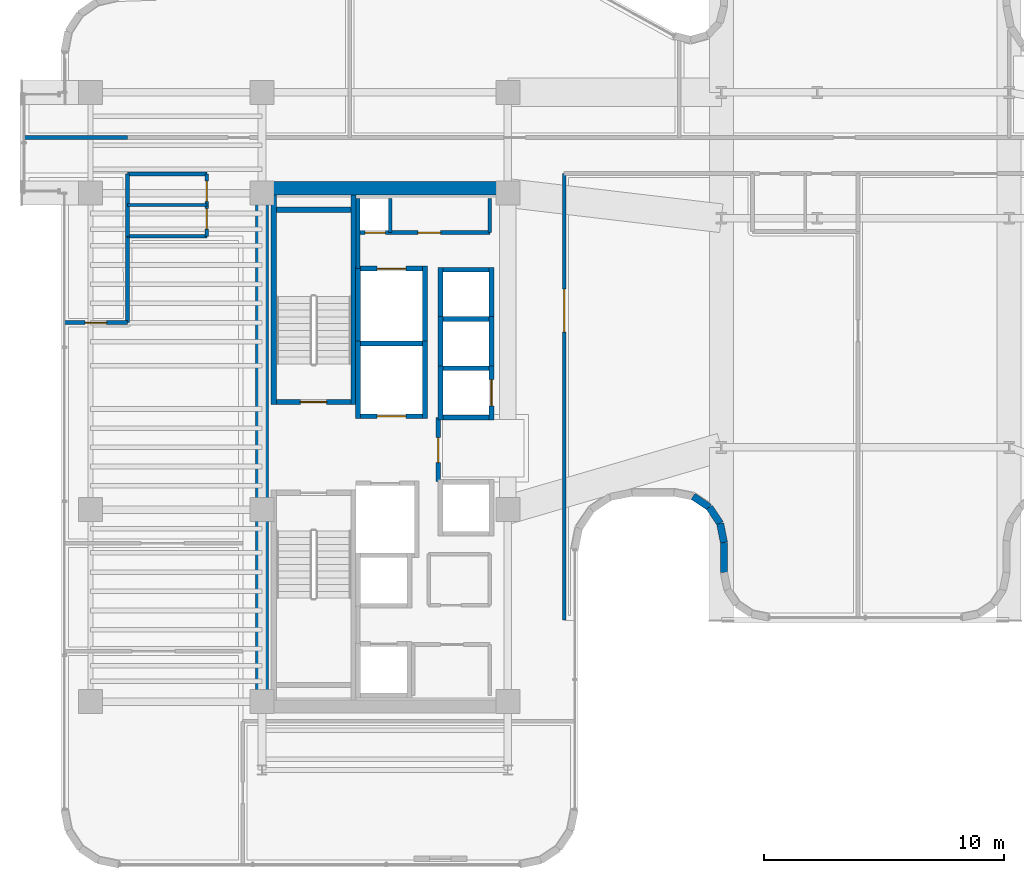
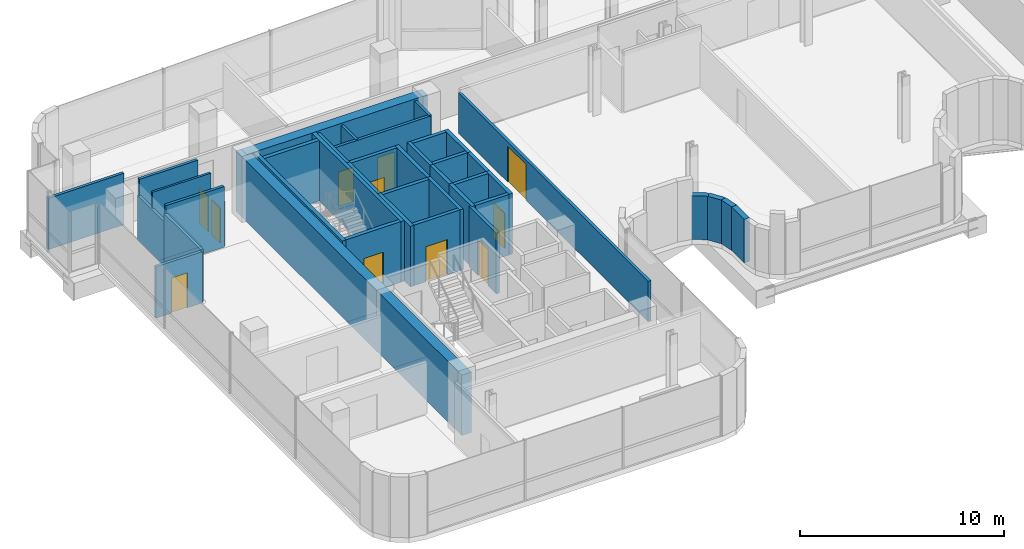
# One storey, part 28 of 37: 41 walls, 11 doors, 11 openings.
"""IFC4 building model written with IfcOpenShell, lengths in metres."""

from ifc_helpers import new_model, si_unit, direction, frame, frame_2d, origin, place, context, subcontext, project, spatial, rectangle, extrude, material, layer, layer_set, type_object, element, fill, save


model = new_model("IFC4")

# Units and contexts
model_context = context("Model", 3, precision=1e-05, world=origin(), true_north=direction((0.0, 1.0)))
body_context = subcontext(model_context, "Body", "Model", "MODEL_VIEW")
ifc_project = project(units=[si_unit("LENGTHUNIT", "METRE"), si_unit("AREAUNIT", "SQUARE_METRE"), si_unit("VOLUMEUNIT", "CUBIC_METRE"), si_unit("PLANEANGLEUNIT", "RADIAN"), si_unit("MASSUNIT", "GRAM", prefix="KILO")], contexts=[model_context])

# Site, building, storey
site_placement = place(None, origin())
site = spatial("IfcSite", under=ifc_project, at=site_placement, CompositionType="ELEMENT")
building_placement = place(site_placement, origin())
building = spatial("IfcBuilding", under=site, at=building_placement, Name="Valdorenza Pilgrim Sanctuary Tower", CompositionType="ELEMENT")
storey_placement = place(building_placement, frame((0.0, 0.0, 188.39990234375)))
storey = spatial("IfcBuildingStorey", under=building, at=storey_placement, Name="L48", CompositionType="ELEMENT", Elevation=188.39990234375)

# Wall
ifc_material_1 = material(Name="Acoustic twin-stud gypsum partition", Category="gypsum")
ifc_layer_1 = layer(ifc_material_1, 0.159912109375, Name="Acoustic twin-stud gypsum partition")
ifc_layer_set_1 = layer_set([ifc_layer_1], Name="Acoustic twin-stud gypsum partition")
wall_type_1 = type_object("IfcWallType", Name="WAL-COR-160", PredefinedType="PARTITIONING", material=ifc_layer_set_1)
wall_1_placement = place(storey_placement, frame((-18.64990234375, 7.449951171875, 0.0), z_axis=(0.0, 0.0, 1.0), x_axis=(0.0, 1.0, 0.0)))
element("IfcWall", 1, at=wall_1_placement, inside=storey, type_object=wall_type_1, Name="L48 Core A North Service West Wall", PredefinedType="PARTITIONING", context=body_context, shape_type="SweptSolid", body=[
    extrude(rectangle(XDim=2.929931640625, YDim=0.159912109375, at=frame_2d((1.46484375, 0.0))), origin(), (0.0, 0.0, 1.0), 3.630126953125),
])

# Wall, openings, doors
wall_2_placement = place(storey_placement, frame((-18.64990234375, 8.949951171875, 0.0), z_axis=(0.0, 0.0, 1.0), x_axis=(1.0, 0.0, 0.0)))
wall_2 = element("IfcWall", 2, at=wall_2_placement, inside=storey, type_object=wall_type_1, Name="L48 Core A North Service South Wall", PredefinedType="PARTITIONING", context=body_context, shape_type="SweptSolid", body=[
    extrude(rectangle(XDim=5.5, YDim=0.159912109375, at=frame_2d((2.75, 0.0))), origin(), (0.0, 0.0, 1.0), 3.630126953125),
])
opening_1_placement = place(wall_2_placement, frame((0.300048828125, 0.0, 0.0)))
opening_1 = element("IfcOpeningElement", 3, at=opening_1_placement, cuts=wall_2, Name="Opening DR-RS1", PredefinedType="OPENING", context=body_context, shape_type="SweptSolid", body=[
    extrude(rectangle(XDim=0.85009765625, YDim=2.050048828125, at=frame_2d((0.425048828125, 1.02490234375))), frame((0.0, 0.0947265625, 0.0), z_axis=(0.0, -1.0, 0.0), x_axis=(1.0, 0.0, 0.0)), (0.0, 0.0, 1.0), 0.189697265625),
])
opening_2_placement = place(wall_2_placement, frame((2.5, 0.0, 0.0)))
opening_2 = element("IfcOpeningElement", 4, at=opening_2_placement, cuts=wall_2, Name="Opening DR-UN1", PredefinedType="OPENING", context=body_context, shape_type="SweptSolid", body=[
    extrude(rectangle(XDim=0.949951171875, YDim=2.14990234375, at=frame_2d((0.47509765625, 1.074951171875))), frame((0.0, 0.0947265625, 0.0), z_axis=(0.0, -1.0, 0.0), x_axis=(1.0, 0.0, 0.0)), (0.0, 0.0, 1.0), 0.189697265625),
])
ifc_material_2 = material(Name="Painted galvanized steel", Category="steel")
door_type_1 = type_object("IfcDoorType", Name="DR-RSR-850", OperationType="NOTDEFINED", PredefinedType="DOOR", material=ifc_material_2)
door_1_placement = place(opening_1_placement, origin())
door_1 = element("IfcDoor", 5, at=door_1_placement, inside=storey, type_object=door_type_1, Name="L48 Core Electrical and Telecom Riser Door", OperationType="SINGLE_SWING_LEFT", OverallHeight=2.050048828125, OverallWidth=0.85009765625, PredefinedType="DOOR", context=body_context, shape_type="SweptSolid", body=[
    extrude(rectangle(XDim=0.85009765625, YDim=2.050048828125, at=frame_2d((0.425048828125, 1.02490234375))), frame((0.0, 0.02490234375, 0.0), z_axis=(0.0, -1.0, 0.0), x_axis=(1.0, 0.0, 0.0)), (0.0, 0.0, 1.0), 0.050048828125),
])
fill(opening_1, door_1)
ifc_material_3 = material(Name="Solid-core European oak timber", Category="wood")
door_type_2 = type_object("IfcDoorType", Name="DR-UNIT-950", OperationType="NOTDEFINED", PredefinedType="DOOR", material=ifc_material_3)
door_2_placement = place(opening_2_placement, origin())
door_2 = element("IfcDoor", 6, at=door_2_placement, inside=storey, type_object=door_type_2, Name="L48 Housekeeping and Clean Linen Room Door", OperationType="SINGLE_SWING_RIGHT", OverallHeight=2.14990234375, OverallWidth=0.949951171875, PredefinedType="DOOR", context=body_context, shape_type="SweptSolid", body=[
    extrude(rectangle(XDim=0.949951171875, YDim=2.14990234375, at=frame_2d((0.47509765625, 1.074951171875))), frame((0.0, 0.02490234375, 0.0), z_axis=(0.0, -1.0, 0.0), x_axis=(1.0, 0.0, 0.0)), (0.0, 0.0, 1.0), 0.050048828125),
])
fill(opening_2, door_2)

# Walls
for number, where, z_axis, x_axis, name in (
    (7, (-13.14990234375, 8.949951171875, 0.0), (0.0, 0.0, 1.0), (0.0, 1.0, 0.0), "L48 Core A North Service East Wall"),
    (8, (-17.300048828125, 8.949951171875, 0.0), (0.0, 0.0, 1.0), (0.0, 1.0, 0.0), "L48 Core Electrical Riser Wall"),
):
    element("IfcWall", number, at=place(storey_placement, frame(where, z_axis=z_axis, x_axis=x_axis)), inside=storey, type_object=wall_type_1, Name=name, PredefinedType="PARTITIONING", context=body_context, shape_type="SweptSolid", body=[
        extrude(rectangle(XDim=1.429931640625, YDim=0.159912109375, at=frame_2d((0.71484375, 0.0))), origin(), (0.0, 0.0, 1.0), 3.630126953125),
    ])
wall_3_placement = place(storey_placement, frame((-28.25, 8.800048828125, 0.0), z_axis=(0.0, 0.0, 1.0), x_axis=(0.0, 1.0, 0.0)))
element("IfcWall", 9, at=wall_3_placement, inside=storey, type_object=wall_type_1, Name="L48 Washroom West Wall", PredefinedType="PARTITIONING", context=body_context, shape_type="SweptSolid", body=[
    extrude(rectangle(XDim=2.599853515625, YDim=0.159912109375, at=frame_2d((1.2998046875, 0.0))), origin(), (0.0, 0.0, 1.0), 2.6650390625),
])

# Wall, openings, doors
wall_4_placement = place(storey_placement, frame((-24.949951171875, 8.800048828125, 0.0), z_axis=(0.0, 0.0, 1.0), x_axis=(0.0, 1.0, 0.0)))
wall_4 = element("IfcWall", 10, at=wall_4_placement, inside=storey, type_object=wall_type_1, Name="L48 Washroom East Wall", PredefinedType="PARTITIONING", context=body_context, shape_type="SweptSolid", body=[
    extrude(rectangle(XDim=2.599853515625, YDim=0.159912109375, at=frame_2d((1.2998046875, 0.0))), origin(), (0.0, 0.0, 1.0), 2.6650390625),
])
opening_3_placement = place(wall_4_placement, frame((0.300048828125, 0.0, 0.0)))
opening_3 = element("IfcOpeningElement", 11, at=opening_3_placement, cuts=wall_4, Name="Opening DR-WC1", PredefinedType="OPENING", context=body_context, shape_type="SweptSolid", body=[
    extrude(rectangle(XDim=0.85009765625, YDim=2.10009765625, at=frame_2d((0.425048828125, 1.050048828125))), frame((0.0, 0.0947265625, 0.0), z_axis=(0.0, -1.0, 0.0), x_axis=(1.0, 0.0, 0.0)), (0.0, 0.0, 1.0), 0.189697265625),
])
opening_4_placement = place(wall_4_placement, frame((1.449951171875, 0.0, 0.0)))
opening_4 = element("IfcOpeningElement", 12, at=opening_4_placement, cuts=wall_4, Name="Opening DR-WC1", PredefinedType="OPENING", context=body_context, shape_type="SweptSolid", body=[
    extrude(rectangle(XDim=0.85009765625, YDim=2.10009765625, at=frame_2d((0.425048828125, 1.050048828125))), frame((0.0, 0.0947265625, 0.0), z_axis=(0.0, -1.0, 0.0), x_axis=(1.0, 0.0, 0.0)), (0.0, 0.0, 1.0), 0.189697265625),
])
ifc_material_4 = material(Name="Moisture-resistant lacquered timber", Category="wood")
door_type_3 = type_object("IfcDoorType", Name="DR-BATH-850", OperationType="NOTDEFINED", PredefinedType="DOOR", material=ifc_material_4)
door_3_placement = place(opening_3_placement, origin())
door_3 = element("IfcDoor", 13, at=door_3_placement, inside=storey, type_object=door_type_3, Name="L48 Accessible Washroom Door", OperationType="SINGLE_SWING_RIGHT", OverallHeight=2.10009765625, OverallWidth=0.85009765625, PredefinedType="DOOR", context=body_context, shape_type="SweptSolid", body=[
    extrude(rectangle(XDim=0.85009765625, YDim=2.10009765625, at=frame_2d((0.425048828125, 1.050048828125))), frame((0.0, 0.02490234375, 0.0), z_axis=(0.0, -1.0, 0.0), x_axis=(1.0, 0.0, 0.0)), (0.0, 0.0, 1.0), 0.050048828125),
])
fill(opening_3, door_3)
door_4_placement = place(opening_4_placement, origin())
door_4 = element("IfcDoor", 14, at=door_4_placement, inside=storey, type_object=door_type_3, Name="L48 Public Washroom Door", OperationType="SINGLE_SWING_LEFT", OverallHeight=2.10009765625, OverallWidth=0.85009765625, PredefinedType="DOOR", context=body_context, shape_type="SweptSolid", body=[
    extrude(rectangle(XDim=0.85009765625, YDim=2.10009765625, at=frame_2d((0.425048828125, 1.050048828125))), frame((0.0, 0.02490234375, 0.0), z_axis=(0.0, -1.0, 0.0), x_axis=(1.0, 0.0, 0.0)), (0.0, 0.0, 1.0), 0.050048828125),
])
fill(opening_4, door_4)

# Walls
for number, where, z_axis, x_axis, name in (
    (15, (-28.25, 8.800048828125, 0.0), (0.0, 0.0, 1.0), (1.0, 0.0, 0.0), "L48 Washroom South Wall"),
    (16, (-28.25, 11.39990234375, 0.0), (0.0, 0.0, 1.0), (1.0, 0.0, 0.0), "L48 Washroom North Wall"),
):
    element("IfcWall", number, at=place(storey_placement, frame(where, z_axis=z_axis, x_axis=x_axis)), inside=storey, type_object=wall_type_1, Name=name, PredefinedType="PARTITIONING", context=body_context, shape_type="SweptSolid", body=[
        extrude(rectangle(XDim=3.300048828125, YDim=0.159912109375, at=frame_2d((1.64990234375, 0.0))), origin(), (0.0, 0.0, 1.0), 3.630126953125),
    ])

# Wall, opening, door
wall_5_placement = place(storey_placement, frame((-30.889892578125, 5.199951171875, 0.0), z_axis=(0.0, 0.0, 1.0), x_axis=(1.0, 0.0, 0.0)))
wall_5 = element("IfcWall", 17, at=wall_5_placement, inside=storey, type_object=wall_type_1, Name="L48 Cloister North Room Wall", PredefinedType="PARTITIONING", context=body_context, shape_type="SweptSolid", body=[
    extrude(rectangle(XDim=2.639892578125, YDim=0.159912109375, at=frame_2d((1.31982421875, 0.0))), origin(), (0.0, 0.0, 1.0), 3.076171875),
])
opening_5_placement = place(wall_5_placement, frame((0.8701171875, 0.0, 0.0)))
opening_5 = element("IfcOpeningElement", 18, at=opening_5_placement, cuts=wall_5, Name="Opening DR-RM1", PredefinedType="OPENING", context=body_context, shape_type="SweptSolid", body=[
    extrude(rectangle(XDim=0.89990234375, YDim=2.10009765625, at=frame_2d((0.449951171875, 1.050048828125))), frame((0.0, 0.0947265625, 0.0), z_axis=(0.0, -1.0, 0.0), x_axis=(1.0, 0.0, 0.0)), (0.0, 0.0, 1.0), 0.189697265625),
])
door_type_4 = type_object("IfcDoorType", Name="DR-ROOM-900", OperationType="NOTDEFINED", PredefinedType="DOOR", material=ifc_material_3)
door_5_placement = place(opening_5_placement, frame((0.89990234375, 0.0, 0.0), z_axis=(0.0, 0.0, 1.0), x_axis=(-1.0, 0.0, 0.0)))
door_5 = element("IfcDoor", 19, at=door_5_placement, inside=storey, type_object=door_type_4, Name="L48 North Contemplation Lounge L48 Door", OperationType="SINGLE_SWING_LEFT", OverallHeight=2.10009765625, OverallWidth=0.89990234375, PredefinedType="DOOR", context=body_context, shape_type="SweptSolid", body=[
    extrude(rectangle(XDim=0.89990234375, YDim=2.10009765625, at=frame_2d((0.449951171875, 1.050048828125))), frame((0.0, 0.02490234375, 0.0), z_axis=(0.0, -1.0, 0.0), x_axis=(1.0, 0.0, 0.0)), (0.0, 0.0, 1.0), 0.050048828125),
])
fill(opening_5, door_5)

# Walls
wall_6_placement = place(storey_placement, frame((-28.25, 5.199951171875, 0.0), z_axis=(0.0, 0.0, 1.0), x_axis=(0.0, 1.0, 0.0)))
element("IfcWall", 20, at=wall_6_placement, inside=storey, type_object=wall_type_1, Name="L48 Cloister NE Closure", PredefinedType="PARTITIONING", context=body_context, shape_type="SweptSolid", body=[
    extrude(rectangle(XDim=3.60009765625, YDim=0.159912109375, at=frame_2d((1.800048828125, 0.0))), origin(), (0.0, 0.0, 1.0), 3.158203125),
])
wall_7_placement = place(storey_placement, frame((-32.5400390625, 12.919921875, 0.0), z_axis=(0.0, 0.0, 1.0), x_axis=(1.0, 0.0, 0.0)))
element("IfcWall", 21, at=wall_7_placement, inside=storey, type_object=wall_type_1, Name="L48 Cloister North Solid Partition", PredefinedType="PARTITIONING", context=body_context, shape_type="SweptSolid", body=[
    extrude(rectangle(XDim=4.2900390625, YDim=0.159912109375, at=frame_2d((2.14501953125, 0.0))), origin(), (0.0, 0.0, 1.0), 3.076171875),
])

# Wall, opening, door
wall_8_placement = place(storey_placement, frame((-10.050048828125, -7.199951171875, 0.0), z_axis=(0.0, 0.0, 1.0), x_axis=(0.0, 1.0, 0.0)))
wall_8 = element("IfcWall", 22, at=wall_8_placement, inside=storey, type_object=wall_type_1, Name="L48 Prayer Bar West Wall", PredefinedType="PARTITIONING", context=body_context, shape_type="SweptSolid", body=[
    extrude(rectangle(XDim=18.619873046875, YDim=0.159912109375, at=frame_2d((9.31005859375, 0.0))), origin(), (0.0, 0.0, 1.0), 2.4150390625),
])
opening_6_placement = place(wall_8_placement, frame((12.0, 0.0, 0.0)))
opening_6 = element("IfcOpeningElement", 23, at=opening_6_placement, cuts=wall_8, Name="Opening DR-HL1", PredefinedType="OPENING", context=body_context, shape_type="SweptSolid", body=[
    extrude(rectangle(XDim=1.800048828125, YDim=2.14990234375, at=frame_2d((0.89990234375, 1.074951171875))), frame((0.0, 0.0947265625, 0.0), z_axis=(0.0, -1.0, 0.0), x_axis=(1.0, 0.0, 0.0)), (0.0, 0.0, 1.0), 0.189697265625),
])
ifc_material_5 = material(Name="Acoustic oak and vision-glass double door", Category="glass")
door_type_5 = type_object("IfcDoorType", Name="DR-HALL-1800", OperationType="NOTDEFINED", PredefinedType="DOOR", material=ifc_material_5)
door_6_placement = place(opening_6_placement, frame((1.800048828125, 0.0, 0.0), z_axis=(0.0, 0.0, 1.0), x_axis=(-1.0, 0.0, 0.0)))
door_6 = element("IfcDoor", 24, at=door_6_placement, inside=storey, type_object=door_type_5, Name="L48 Congregational Prayer Hall West Door", OperationType="DOUBLE_DOOR_SINGLE_SWING", OverallHeight=2.14990234375, OverallWidth=1.800048828125, PredefinedType="DOOR", context=body_context, shape_type="SweptSolid", body=[
    extrude(rectangle(XDim=1.800048828125, YDim=2.14990234375, at=frame_2d((0.89990234375, 1.074951171875))), frame((0.0, 0.02490234375, 0.0), z_axis=(0.0, -1.0, 0.0), x_axis=(1.0, 0.0, 0.0)), (0.0, 0.0, 1.0), 0.050048828125),
])
fill(opening_6, door_6)

# Walls
ifc_material_6 = material(Name="Concrete C50/60", Category="concrete")
ifc_layer_2 = layer(ifc_material_6, 0.550048828125, Name="Concrete C50/60")
ifc_layer_set_2 = layer_set([ifc_layer_2], Name="Concrete C50/60")
wall_type_2 = type_object("IfcWallType", Name="WAL-COR-550", PredefinedType="SHEAR", material=ifc_layer_set_2)
wall_9_placement = place(storey_placement, frame((-22.64990234375, -11.074951171875, 0.0), z_axis=(0.0, 0.0, 1.0), x_axis=(0.0, 1.0, 0.0)))
element("IfcWall", 25, at=wall_9_placement, inside=storey, type_object=wall_type_2, Name="L48 Split Core A Shear Wall W", PredefinedType="SHEAR", context=body_context, shape_type="SweptSolid", body=[
    extrude(rectangle(XDim=22.14990234375, YDim=0.550048828125, at=frame_2d((11.074951171875, 0.0))), origin(), (0.0, 0.0, 1.0), 3.630126953125),
])
wall_10_placement = place(storey_placement, frame((-22.64990234375, 10.800048828125, 0.0), z_axis=(0.0, 0.0, 1.0), x_axis=(1.0, 0.0, 0.0)))
element("IfcWall", 26, at=wall_10_placement, inside=storey, type_object=wall_type_2, Name="L48 Split Core A Shear Wall N", PredefinedType="SHEAR", context=body_context, shape_type="SweptSolid", body=[
    extrude(rectangle(XDim=10.25, YDim=0.550048828125, at=frame_2d((5.125, 0.0))), origin(), (0.0, 0.0, 1.0), 3.630126953125),
])
ifc_material_7 = material(Name="Honed travertine limestone", Category="masonry")
ifc_layer_3 = layer(ifc_material_7, 0.300048828125, Name="Honed travertine limestone")
ifc_layer_set_3 = layer_set([ifc_layer_3], Name="Honed travertine limestone")
wall_type_3 = type_object("IfcWallType", Name="WAL-EXT-300", PredefinedType="SOLIDWALL", material=ifc_layer_set_3)
wall_11_placement = place(storey_placement, frame((-3.389892578125, -5.213134765625, 0.0), z_axis=(0.0, 0.0, 1.0), x_axis=(0.0, 1.0, 0.0)))
element("IfcWall", 27, at=wall_11_placement, inside=storey, type_object=wall_type_3, Name="L48 Rounded Wind-Corner Stone Pier 67", PredefinedType="SOLIDWALL", context=body_context, shape_type="SweptSolid", body=[
    extrude(rectangle(XDim=1.248046875, YDim=0.300048828125, at=frame_2d((0.6240234375, 0.0))), origin(), (0.0, 0.0, 1.0), 2.614990234375),
])
wall_12_placement = place(storey_placement, frame((-3.389892578125, -3.965087890625, 0.0), z_axis=(0.0, 0.0, 1.0), x_axis=(-0.195356525272, 0.980732291726, 0.0)))
element("IfcWall", 28, at=wall_12_placement, inside=storey, type_object=wall_type_3, Name="L48 Rounded Wind-Corner Stone Pier 68", PredefinedType="SOLIDWALL", context=body_context, shape_type="SweptSolid", body=[
    extrude(rectangle(XDim=0.803466796875, YDim=0.300048828125, at=frame_2d((0.40185546875, 0.0))), origin(), (0.0, 0.0, 1.0), 2.614990234375),
])
for number, where, z_axis, x_axis, name in (
    (29, (-3.546875, -3.177001953125, 0.0), (0.0, 0.0, 1.0), (-0.555529688413, 0.831496701913, 0.0), "L48 Rounded Wind-Corner Stone Pier 69"),
    (30, (-3.99951171875, -2.49951171875, 0.0), (0.0, 0.0, 1.0), (-0.831496701913, 0.555529688413, 0.0), "L48 Rounded Wind-Corner Stone Pier 70"),
):
    element("IfcWall", number, at=place(storey_placement, frame(where, z_axis=z_axis, x_axis=x_axis)), inside=storey, type_object=wall_type_3, Name=name, PredefinedType="SOLIDWALL", context=body_context, shape_type="SweptSolid", body=[
        extrude(rectangle(XDim=0.814697265625, YDim=0.300048828125, at=frame_2d((0.4072265625, 0.0))), origin(), (0.0, 0.0, 1.0), 2.614990234375),
    ])

# Wall, opening, door
ifc_material_8 = material(Name="Gypsum shaftwall partition", Category="gypsum")
ifc_layer_4 = layer(ifc_material_8, 0.199951171875, Name="Gypsum shaftwall partition")
ifc_layer_set_4 = layer_set([ifc_layer_4], Name="Gypsum shaftwall partition")
wall_type_4 = type_object("IfcWallType", Name="WAL-FFL-200", PredefinedType="PARTITIONING", material=ifc_layer_set_4)
wall_13_placement = place(storey_placement, frame((-15.300048828125, -1.419921875, 0.0), z_axis=(0.0, 0.0, 1.0), x_axis=(0.0, 1.0, 0.0)))
wall_13 = element("IfcWall", 31, at=wall_13_placement, inside=storey, type_object=wall_type_4, Name="L48 Core A Firefighting Lobby East Wall", PredefinedType="PARTITIONING", context=body_context, shape_type="SweptSolid", body=[
    extrude(rectangle(XDim=2.669921875, YDim=0.199951171875, at=frame_2d((1.3349609375, 0.0))), origin(), (0.0, 0.0, 1.0), 3.630126953125),
])
opening_7_placement = place(wall_13_placement, frame((0.780029296875, 0.0, 0.0)))
opening_7 = element("IfcOpeningElement", 32, at=opening_7_placement, cuts=wall_13, Name="Opening DR-FL1", PredefinedType="OPENING", context=body_context, shape_type="SweptSolid", body=[
    extrude(rectangle(XDim=1.050048828125, YDim=2.14990234375, at=frame_2d((0.52490234375, 1.074951171875))), frame((0.0, 0.11474609375, 0.0), z_axis=(0.0, -1.0, 0.0), x_axis=(1.0, 0.0, 0.0)), (0.0, 0.0, 1.0), 0.229736328125),
])
door_type_6 = type_object("IfcDoorType", Name="DR-FFL-1050", OperationType="NOTDEFINED", PredefinedType="DOOR", material=ifc_material_2)
door_7_placement = place(opening_7_placement, origin())
door_7 = element("IfcDoor", 33, at=door_7_placement, inside=storey, type_object=door_type_6, Name="L48 Core A Firefighting Lobby Door", OperationType="SINGLE_SWING_RIGHT", OverallHeight=2.14990234375, OverallWidth=1.050048828125, PredefinedType="DOOR", context=body_context, shape_type="SweptSolid", body=[
    extrude(rectangle(XDim=1.050048828125, YDim=2.14990234375, at=frame_2d((0.52490234375, 1.074951171875))), frame((0.0, 0.02490234375, 0.0), z_axis=(0.0, -1.0, 0.0), x_axis=(1.0, 0.0, 0.0)), (0.0, 0.0, 1.0), 0.050048828125),
])
fill(opening_7, door_7)

# Walls
ifc_material_9 = material(Name="Moisture-resistant gypsum partition", Category="gypsum")
ifc_layer_5 = layer(ifc_material_9, 0.1201171875, Name="Moisture-resistant gypsum partition")
ifc_layer_set_5 = layer_set([ifc_layer_5], Name="Moisture-resistant gypsum partition")
wall_type_5 = type_object("IfcWallType", Name="WAL-INT-120", PredefinedType="PARTITIONING", material=ifc_layer_set_5)
wall_14_placement = place(storey_placement, frame((-28.25, 10.10009765625, 0.0), z_axis=(0.0, 0.0, 1.0), x_axis=(1.0, 0.0, 0.0)))
element("IfcWall", 34, at=wall_14_placement, inside=storey, type_object=wall_type_5, Name="L48 Washroom Divider Wall", PredefinedType="PARTITIONING", context=body_context, shape_type="SweptSolid", body=[
    extrude(rectangle(XDim=3.300048828125, YDim=0.1201171875, at=frame_2d((1.64990234375, 0.0))), origin(), (0.0, 0.0, 1.0), 3.630126953125),
])
ifc_material_10 = material(Name="Autoclaved aerated concrete blockwork", Category="masonry")
ifc_layer_6 = layer(ifc_material_10, 0.199951171875, Name="Autoclaved aerated concrete blockwork")
ifc_layer_set_6 = layer_set([ifc_layer_6], Name="Autoclaved aerated concrete blockwork")
wall_type_6 = type_object("IfcWallType", Name="WAL-SHF-200", PredefinedType="MOVABLE", material=ifc_layer_set_6)
for number, where, z_axis, x_axis, name in (
    (35, (-18.64990234375, 1.199951171875, 0.0), (0.0, 0.0, 1.0), (0.0, 1.0, 0.0), "L48 Lift FFL-01 Hoistway Wall West"),
    (36, (-15.85009765625, 1.199951171875, 0.0), (0.0, 0.0, 1.0), (0.0, 1.0, 0.0), "L48 Lift FFL-01 Hoistway Wall East"),
):
    element("IfcWall", number, at=place(storey_placement, frame(where, z_axis=z_axis, x_axis=x_axis)), inside=storey, type_object=wall_type_6, Name=name, PredefinedType="MOVABLE", context=body_context, shape_type="SweptSolid", body=[
        extrude(rectangle(XDim=3.22509765625, YDim=0.199951171875, at=frame_2d((1.612548828125, 0.0))), origin(), (0.0, 0.0, 1.0), 3.630126953125),
    ])

# Wall, opening, door
wall_15_placement = place(storey_placement, frame((-18.550048828125, 1.300048828125, 0.0), z_axis=(0.0, 0.0, 1.0), x_axis=(1.0, 0.0, 0.0)))
wall_15 = element("IfcWall", 37, at=wall_15_placement, inside=storey, type_object=wall_type_6, Name="L48 Lift FFL-01 Hoistway Wall South", PredefinedType="MOVABLE", context=body_context, shape_type="SweptSolid", body=[
    extrude(rectangle(XDim=2.60009765625, YDim=0.199951171875, at=frame_2d((1.300048828125, 0.0))), origin(), (0.0, 0.0, 1.0), 3.630126953125),
])
opening_8_placement = place(wall_15_placement, frame((0.699951171875, 0.0, 0.0)))
opening_8 = element("IfcOpeningElement", 38, at=opening_8_placement, cuts=wall_15, Name="Opening LD-02", PredefinedType="OPENING", context=body_context, shape_type="SweptSolid", body=[
    extrude(rectangle(XDim=1.199951171875, YDim=2.10009765625, at=frame_2d((0.60009765625, 1.050048828125))), frame((0.0, 0.11474609375, 0.0), z_axis=(0.0, -1.0, 0.0), x_axis=(1.0, 0.0, 0.0)), (0.0, 0.0, 1.0), 0.229736328125),
])
ifc_material_11 = material(Name="Brushed stainless steel Grade 316", Category="steel")
door_type_7 = type_object("IfcDoorType", Name="DR-LFT-1200", OperationType="DOUBLE_DOOR_SLIDING", PredefinedType="DOOR", material=ifc_material_11)
door_8_placement = place(opening_8_placement, origin())
door_8 = element("IfcDoor", 39, at=door_8_placement, inside=storey, type_object=door_type_7, Name="L48 Lift FFL-01 Sliding Landing Door", OperationType="DOUBLE_DOOR_SLIDING", OverallHeight=2.10009765625, OverallWidth=1.199951171875, PredefinedType="DOOR", context=body_context, shape_type="SweptSolid", body=[
    extrude(rectangle(XDim=1.199951171875, YDim=2.10009765625, at=frame_2d((0.60009765625, 1.050048828125))), frame((0.0, 0.02490234375, 0.0), z_axis=(0.0, -1.0, 0.0), x_axis=(1.0, 0.0, 0.0)), (0.0, 0.0, 1.0), 0.050048828125),
])
fill(opening_8, door_8)

# Walls
wall_16_placement = place(storey_placement, frame((-18.550048828125, 4.324951171875, 0.0), z_axis=(0.0, 0.0, 1.0), x_axis=(1.0, 0.0, 0.0)))
element("IfcWall", 40, at=wall_16_placement, inside=storey, type_object=wall_type_6, Name="L48 Lift FFL-01 Hoistway Wall North", PredefinedType="MOVABLE", context=body_context, shape_type="SweptSolid", body=[
    extrude(rectangle(XDim=2.60009765625, YDim=0.199951171875, at=frame_2d((1.300048828125, 0.0))), origin(), (0.0, 0.0, 1.0), 3.630126953125),
])
for number, where, z_axis, x_axis, name in (
    (41, (-18.64990234375, 4.22509765625, 0.0), (0.0, 0.0, 1.0), (0.0, 1.0, 0.0), "L48 Lift SVL-01 Hoistway Wall West"),
    (42, (-15.85009765625, 4.22509765625, 0.0), (0.0, 0.0, 1.0), (0.0, 1.0, 0.0), "L48 Lift SVL-01 Hoistway Wall East"),
):
    element("IfcWall", number, at=place(storey_placement, frame(where, z_axis=z_axis, x_axis=x_axis)), inside=storey, type_object=wall_type_6, Name=name, PredefinedType="MOVABLE", context=body_context, shape_type="SweptSolid", body=[
        extrude(rectangle(XDim=3.324951171875, YDim=0.199951171875, at=frame_2d((1.66259765625, 0.0))), origin(), (0.0, 0.0, 1.0), 3.630126953125),
    ])

# Wall, opening, door
wall_17_placement = place(storey_placement, frame((-18.550048828125, 7.449951171875, 0.0), z_axis=(0.0, 0.0, 1.0), x_axis=(1.0, 0.0, 0.0)))
wall_17 = element("IfcWall", 43, at=wall_17_placement, inside=storey, type_object=wall_type_6, Name="L48 Lift SVL-01 Hoistway Wall North", PredefinedType="MOVABLE", context=body_context, shape_type="SweptSolid", body=[
    extrude(rectangle(XDim=2.60009765625, YDim=0.199951171875, at=frame_2d((1.300048828125, 0.0))), origin(), (0.0, 0.0, 1.0), 3.630126953125),
])
opening_9_placement = place(wall_17_placement, frame((0.699951171875, 0.0, 0.0)))
opening_9 = element("IfcOpeningElement", 44, at=opening_9_placement, cuts=wall_17, Name="Opening LD-02", PredefinedType="OPENING", context=body_context, shape_type="SweptSolid", body=[
    extrude(rectangle(XDim=1.199951171875, YDim=2.10009765625, at=frame_2d((0.60009765625, 1.050048828125))), frame((0.0, 0.11474609375, 0.0), z_axis=(0.0, -1.0, 0.0), x_axis=(1.0, 0.0, 0.0)), (0.0, 0.0, 1.0), 0.229736328125),
])
door_9_placement = place(opening_9_placement, origin())
door_9 = element("IfcDoor", 45, at=door_9_placement, inside=storey, type_object=door_type_7, Name="L48 Lift SVL-01 Sliding Landing Door", OperationType="DOUBLE_DOOR_SLIDING", OverallHeight=2.10009765625, OverallWidth=1.199951171875, PredefinedType="DOOR", context=body_context, shape_type="SweptSolid", body=[
    extrude(rectangle(XDim=1.199951171875, YDim=2.10009765625, at=frame_2d((0.60009765625, 1.050048828125))), frame((0.0, 0.02490234375, 0.0), z_axis=(0.0, -1.0, 0.0), x_axis=(1.0, 0.0, 0.0)), (0.0, 0.0, 1.0), 0.050048828125),
])
fill(opening_9, door_9)

# Wall
wall_18_placement = place(storey_placement, frame((-15.199951171875, 1.14990234375, 0.0), z_axis=(0.0, 0.0, 1.0), x_axis=(0.0, 1.0, 0.0)))
element("IfcWall", 46, at=wall_18_placement, inside=storey, type_object=wall_type_6, Name="L48 Lift PL-06 Hoistway Wall West", PredefinedType="MOVABLE", context=body_context, shape_type="SweptSolid", body=[
    extrude(rectangle(XDim=2.25, YDim=0.199951171875, at=frame_2d((1.125, 0.0))), origin(), (0.0, 0.0, 1.0), 3.630126953125),
])

# Wall, opening, door
wall_19_placement = place(storey_placement, frame((-13.080078125, 1.14990234375, 0.0), z_axis=(0.0, 0.0, 1.0), x_axis=(0.0, 1.0, 0.0)))
wall_19 = element("IfcWall", 47, at=wall_19_placement, inside=storey, type_object=wall_type_6, Name="L48 Lift PL-06 Hoistway Wall East", PredefinedType="MOVABLE", context=body_context, shape_type="SweptSolid", body=[
    extrude(rectangle(XDim=2.25, YDim=0.199951171875, at=frame_2d((1.125, 0.0))), origin(), (0.0, 0.0, 1.0), 3.630126953125),
])
opening_10_placement = place(wall_19_placement, frame((0.574951171875, 0.0, 0.0)))
opening_10 = element("IfcOpeningElement", 48, at=opening_10_placement, cuts=wall_19, Name="Opening LD-01", PredefinedType="OPENING", context=body_context, shape_type="SweptSolid", body=[
    extrude(rectangle(XDim=1.10009765625, YDim=2.10009765625, at=frame_2d((0.550048828125, 1.050048828125))), frame((0.0, 0.11474609375, 0.0), z_axis=(0.0, -1.0, 0.0), x_axis=(1.0, 0.0, 0.0)), (0.0, 0.0, 1.0), 0.229736328125),
])
door_type_8 = type_object("IfcDoorType", Name="DR-LFT-1100", OperationType="DOUBLE_DOOR_SLIDING", PredefinedType="DOOR", material=ifc_material_11)
door_10_placement = place(opening_10_placement, origin())
door_10 = element("IfcDoor", 49, at=door_10_placement, inside=storey, type_object=door_type_8, Name="L48 Lift PL-06 Sliding Landing Door", OperationType="DOUBLE_DOOR_SLIDING", OverallHeight=2.10009765625, OverallWidth=1.10009765625, PredefinedType="DOOR", context=body_context, shape_type="SweptSolid", body=[
    extrude(rectangle(XDim=1.10009765625, YDim=2.10009765625, at=frame_2d((0.550048828125, 1.050048828125))), frame((0.0, 0.02490234375, 0.0), z_axis=(0.0, -1.0, 0.0), x_axis=(1.0, 0.0, 0.0)), (0.0, 0.0, 1.0), 0.050048828125),
])
fill(opening_10, door_10)

# Walls
wall_20_placement = place(storey_placement, frame((-15.10009765625, 1.25, 0.0), z_axis=(0.0, 0.0, 1.0), x_axis=(1.0, 0.0, 0.0)))
element("IfcWall", 50, at=wall_20_placement, inside=storey, type_object=wall_type_6, Name="L48 Lift PL-06 Hoistway Wall South", PredefinedType="MOVABLE", context=body_context, shape_type="SweptSolid", body=[
    extrude(rectangle(XDim=1.920166015625, YDim=0.199951171875, at=frame_2d((0.9599609375, 0.0))), origin(), (0.0, 0.0, 1.0), 3.630126953125),
])
for number, where, z_axis, x_axis, name in (
    (51, (-15.199951171875, 3.199951171875, 0.0), (0.0, 0.0, 1.0), (0.0, 1.0, 0.0), "L48 Lift PL-09 Hoistway Wall West"),
    (52, (-13.080078125, 3.199951171875, 0.0), (0.0, 0.0, 1.0), (0.0, 1.0, 0.0), "L48 Lift PL-09 Hoistway Wall East"),
):
    element("IfcWall", number, at=place(storey_placement, frame(where, z_axis=z_axis, x_axis=x_axis)), inside=storey, type_object=wall_type_6, Name=name, PredefinedType="MOVABLE", context=body_context, shape_type="SweptSolid", body=[
        extrude(rectangle(XDim=2.25, YDim=0.199951171875, at=frame_2d((1.125, 0.0))), origin(), (0.0, 0.0, 1.0), 3.630126953125),
    ])
for number, where, z_axis, x_axis, name in (
    (53, (-15.10009765625, 3.300048828125, 0.0), (0.0, 0.0, 1.0), (1.0, 0.0, 0.0), "L48 Lift PL-09 Hoistway Wall South"),
    (54, (-15.10009765625, 5.35009765625, 0.0), (0.0, 0.0, 1.0), (1.0, 0.0, 0.0), "L48 Lift PL-09 Hoistway Wall North"),
):
    element("IfcWall", number, at=place(storey_placement, frame(where, z_axis=z_axis, x_axis=x_axis)), inside=storey, type_object=wall_type_6, Name=name, PredefinedType="MOVABLE", context=body_context, shape_type="SweptSolid", body=[
        extrude(rectangle(XDim=1.920166015625, YDim=0.199951171875, at=frame_2d((0.9599609375, 0.0))), origin(), (0.0, 0.0, 1.0), 3.630126953125),
    ])
for number, where, z_axis, x_axis, name in (
    (55, (-15.199951171875, 5.25, 0.0), (0.0, 0.0, 1.0), (0.0, 1.0, 0.0), "L48 Lift PL-10 Hoistway Wall West"),
    (56, (-13.080078125, 5.25, 0.0), (0.0, 0.0, 1.0), (0.0, 1.0, 0.0), "L48 Lift PL-10 Hoistway Wall East"),
):
    element("IfcWall", number, at=place(storey_placement, frame(where, z_axis=z_axis, x_axis=x_axis)), inside=storey, type_object=wall_type_6, Name=name, PredefinedType="MOVABLE", context=body_context, shape_type="SweptSolid", body=[
        extrude(rectangle(XDim=2.25, YDim=0.199951171875, at=frame_2d((1.125, 0.0))), origin(), (0.0, 0.0, 1.0), 3.630126953125),
    ])
wall_21_placement = place(storey_placement, frame((-15.10009765625, 7.39990234375, 0.0), z_axis=(0.0, 0.0, 1.0), x_axis=(1.0, 0.0, 0.0)))
element("IfcWall", 57, at=wall_21_placement, inside=storey, type_object=wall_type_6, Name="L48 Lift PL-10 Hoistway Wall North", PredefinedType="MOVABLE", context=body_context, shape_type="SweptSolid", body=[
    extrude(rectangle(XDim=1.920166015625, YDim=0.199951171875, at=frame_2d((0.9599609375, 0.0))), origin(), (0.0, 0.0, 1.0), 3.630126953125),
])
ifc_material_12 = material(Name="Concrete C40/50", Category="concrete")
ifc_layer_7 = layer(ifc_material_12, 0.219970703125, Name="Concrete C40/50")
ifc_layer_set_7 = layer_set([ifc_layer_7], Name="Concrete C40/50")
wall_type_7 = type_object("IfcWallType", Name="WAL-STR-SHF-220", PredefinedType="SHEAR", material=ifc_layer_set_7)
for number, where, z_axis, x_axis, name in (
    (58, (-22.159912109375, 1.780029296875, 0.0), (0.0, 0.0, 1.0), (0.0, 1.0, 0.0), "L48 ST-A1 Structural Stairwell Wall W"),
    (59, (-18.830078125, 1.780029296875, 0.0), (0.0, 0.0, 1.0), (0.0, 1.0, 0.0), "L48 ST-A1 Structural Stairwell Wall E"),
):
    element("IfcWall", number, at=place(storey_placement, frame(where, z_axis=z_axis, x_axis=x_axis)), inside=storey, type_object=wall_type_7, Name=name, PredefinedType="SHEAR", context=body_context, shape_type="SweptSolid", body=[
        extrude(rectangle(XDim=8.744873046875, YDim=0.219970703125, at=frame_2d((4.37255859375, 0.0))), origin(), (0.0, 0.0, 1.0), 3.630126953125),
    ])

# Wall, opening, door
wall_22_placement = place(storey_placement, frame((-22.050048828125, 1.889892578125, 0.0), z_axis=(0.0, 0.0, 1.0), x_axis=(1.0, 0.0, 0.0)))
wall_22 = element("IfcWall", 60, at=wall_22_placement, inside=storey, type_object=wall_type_7, Name="L48 ST-A1 Structural Stairwell Wall S", PredefinedType="SHEAR", context=body_context, shape_type="SweptSolid", body=[
    extrude(rectangle(XDim=3.110107421875, YDim=0.219970703125, at=frame_2d((1.55517578125, 0.0))), origin(), (0.0, 0.0, 1.0), 3.630126953125),
])
opening_11_placement = place(wall_22_placement, frame((1.0, 0.0, 0.0)))
opening_11 = element("IfcOpeningElement", 61, at=opening_11_placement, cuts=wall_22, Name="Opening DR-ST1", PredefinedType="OPENING", context=body_context, shape_type="SweptSolid", body=[
    extrude(rectangle(XDim=1.10009765625, YDim=2.14990234375, at=frame_2d((0.550048828125, 1.074951171875))), frame((0.0, 0.125, 0.0), z_axis=(0.0, -1.0, 0.0), x_axis=(1.0, 0.0, 0.0)), (0.0, 0.0, 1.0), 0.249755859375),
])
door_type_9 = type_object("IfcDoorType", Name="DR-STAIR-1100", OperationType="NOTDEFINED", PredefinedType="DOOR", material=ifc_material_2)
door_11_placement = place(opening_11_placement, frame((1.10009765625, 0.0, 0.0), z_axis=(0.0, 0.0, 1.0), x_axis=(-1.0, 0.0, 0.0)))
door_11 = element("IfcDoor", 62, at=door_11_placement, inside=storey, type_object=door_type_9, Name="L48 Exit Stair ST-A1 Door", OperationType="SINGLE_SWING_LEFT", OverallHeight=2.14990234375, OverallWidth=1.10009765625, PredefinedType="DOOR", context=body_context, shape_type="SweptSolid", body=[
    extrude(rectangle(XDim=1.10009765625, YDim=2.14990234375, at=frame_2d((0.550048828125, 1.074951171875))), frame((0.0, 0.02490234375, 0.0), z_axis=(0.0, -1.0, 0.0), x_axis=(1.0, 0.0, 0.0)), (0.0, 0.0, 1.0), 0.050048828125),
])
fill(opening_11, door_11)

# Wall
wall_23_placement = place(storey_placement, frame((-22.050048828125, 9.909912109375, 0.0), z_axis=(0.0, 0.0, 1.0), x_axis=(1.0, 0.0, 0.0)))
element("IfcWall", 63, at=wall_23_placement, inside=storey, type_object=wall_type_7, Name="L48 ST-A1 Structural Stairwell Wall N", PredefinedType="SHEAR", context=body_context, shape_type="SweptSolid", body=[
    extrude(rectangle(XDim=3.110107421875, YDim=0.219970703125, at=frame_2d((1.55517578125, 0.0))), origin(), (0.0, 0.0, 1.0), 3.630126953125),
])

save(model, "model.ifc")
